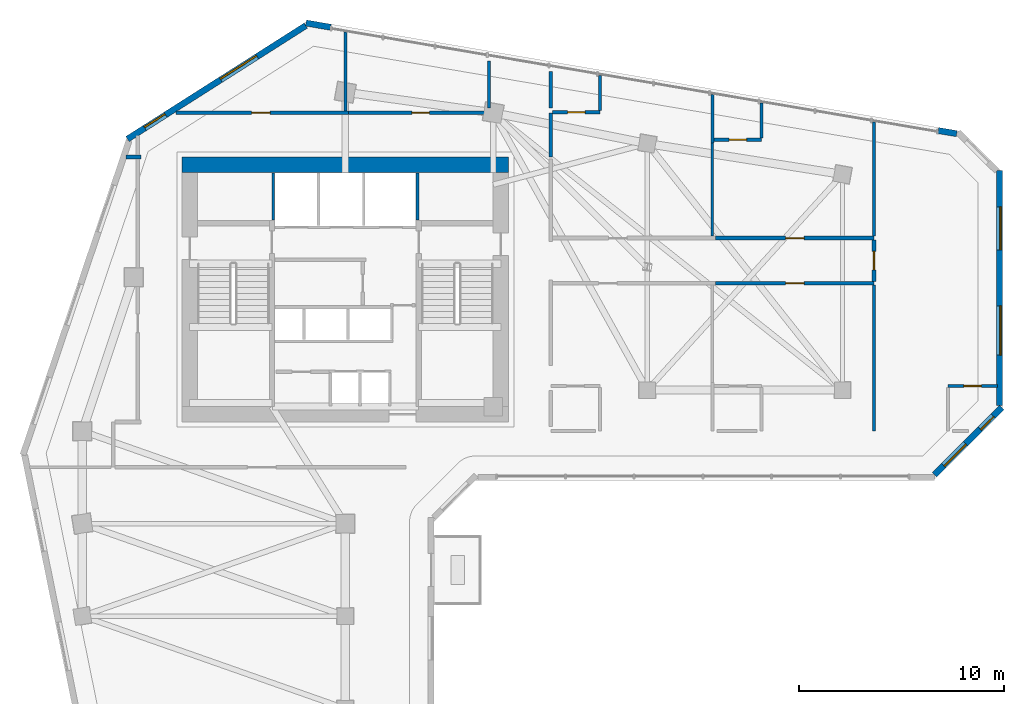
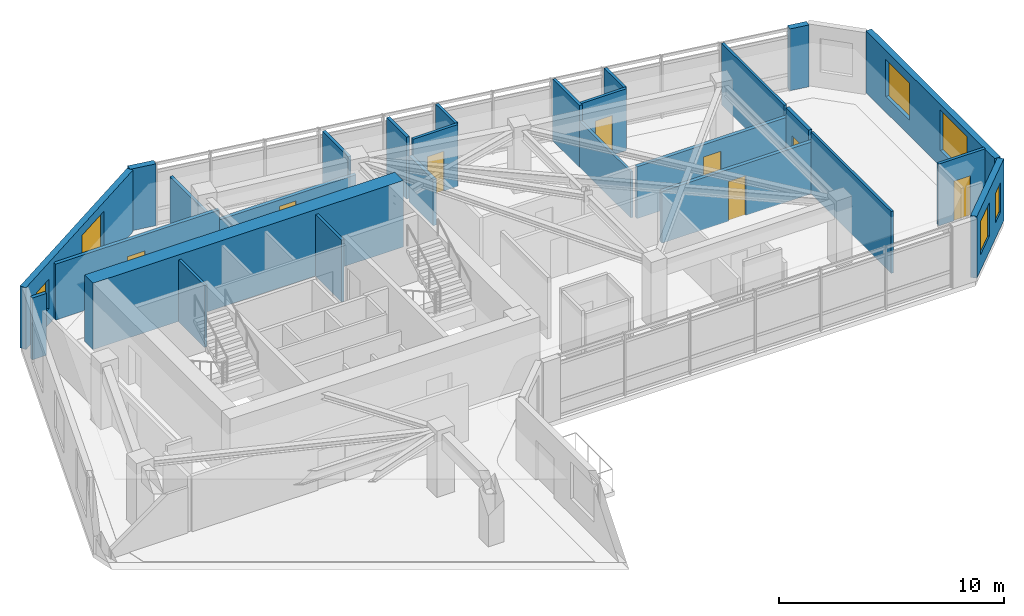
# One storey, part 6 of 10: 27 walls, 8 doors, 6 windows, 14 openings.
"""IFC4 building model written with IfcOpenShell, lengths in metres."""

from ifc_helpers import new_model, si_unit, direction, frame, frame_2d, origin, place, context, subcontext, project, spatial, rectangle, extrude, source, transform, mapped, material, layer, layer_set, type_object, element, fill, save


model = new_model("IFC4")

# Units and contexts
model_context = context("Model", 3, precision=1e-05, world=origin(), true_north=direction((0.0, 1.0)))
body_context = subcontext(model_context, "Body", "Model", "MODEL_VIEW")
ifc_project = project(units=[si_unit("LENGTHUNIT", "METRE"), si_unit("AREAUNIT", "SQUARE_METRE"), si_unit("VOLUMEUNIT", "CUBIC_METRE"), si_unit("PLANEANGLEUNIT", "RADIAN"), si_unit("MASSUNIT", "GRAM", prefix="KILO")], contexts=[model_context])

# Site, building, storey
site_placement = place(None, origin())
site = spatial("IfcSite", under=ifc_project, at=site_placement, CompositionType="ELEMENT")
building_placement = place(site_placement, origin())
building = spatial("IfcBuilding", under=site, at=building_placement, Name="Calvemar Wedge Station Tower", CompositionType="ELEMENT")
storey_placement = place(building_placement, frame((0.0, 0.0, 153.800048828125)))
storey = spatial("IfcBuildingStorey", under=building, at=storey_placement, Name="L38", CompositionType="ELEMENT", Elevation=153.800048828125)

# Walls
ifc_material_1 = material(Name="Concrete C70", Category="concrete")
ifc_layer_1 = layer(ifc_material_1, 0.75)
ifc_layer_set_1 = layer_set([ifc_layer_1], Name="Concrete C70")
wall_type_1 = type_object("IfcWallType", Name="SW-CORE-750", PredefinedType="SHEAR", material=ifc_layer_set_1)
wall_1_placement = place(storey_placement, frame((15.85009765625, 45.97509765625, 0.0), z_axis=(0.0, 0.0, 1.0), x_axis=(1.0, 0.0, 0.0)))
element("IfcWall", 1, at=wall_1_placement, inside=storey, type_object=wall_type_1, Name="Storey L38 Core Shear Wall N", PredefinedType="SHEAR", context=body_context, shape_type="SweptSolid", body=[
    extrude(rectangle(XDim=15.89990234375, YDim=0.75, at=frame_2d((7.949951171875, 0.0))), origin(), (0.0, 0.0, 1.0), 3.599853515625),
])
ifc_material_2 = material(Name="Double-stud fire-rated corridor partition")
ifc_layer_2 = layer(ifc_material_2, 0.179931640625)
ifc_layer_set_2 = layer_set([ifc_layer_2], Name="Double-stud fire-rated corridor partition")
wall_type_2 = type_object("IfcWallType", Name="W-CORR-180", PredefinedType="PARTITIONING", material=ifc_layer_set_2)
wall_2_placement = place(storey_placement, frame((13.860107421875, 46.35009765625, 0.0), z_axis=(0.0, 0.0, 1.0), x_axis=(-1.0, 0.0, 0.0)))
element("IfcWall", 2, at=wall_2_placement, inside=storey, type_object=wall_type_2, Name="Storey L38 Interior Partition WL-L38-009", PredefinedType="PARTITIONING", context=body_context, shape_type="SweptSolid", body=[
    extrude(rectangle(XDim=0.73486328125, YDim=0.179931640625, at=frame_2d((0.367431640625, 0.0))), origin(), (0.0, 0.0, 1.0), 3.349853515625),
])

# Wall, opening, door
wall_3_placement = place(storey_placement, frame((15.552490234375, 48.5, 0.0), z_axis=(0.0, 0.0, 1.0), x_axis=(1.0, 0.0, 0.0)))
wall_3 = element("IfcWall", 3, at=wall_3_placement, inside=storey, type_object=wall_type_2, Name="Storey L38 Interior Partition WL-L38-010", PredefinedType="PARTITIONING", context=body_context, shape_type="SweptSolid", body=[
    extrude(rectangle(XDim=8.407470703125, YDim=0.179931640625, at=frame_2d((4.20361328125, 0.0))), origin(), (0.0, 0.0, 1.0), 3.033935546875),
])
shared_shape_1 = source(origin(), body_context, "Body", "SweptSolid", [
    extrude(rectangle(XDim=0.89990234375, YDim=2.14990234375, at=frame_2d((0.449951171875, 1.074951171875))), frame((0.0, 0.10009765625, 0.0), z_axis=(0.0, -1.0, 0.0), x_axis=(1.0, 0.0, 0.0)), (0.0, 0.0, 1.0), 0.199951171875),
])
opening_1_placement = place(wall_3_placement, frame((3.69287109375, 0.0, 0.0)))
opening_1 = element("IfcOpeningElement", 4, at=opening_1_placement, cuts=wall_3, Name="Opening D-01", PredefinedType="OPENING", context=body_context, shape_type="MappedRepresentation", body=[
    mapped(shared_shape_1, transform((0.0, 0.0, 0.0), scale=1.0)),
])
ifc_material_3 = material(Name="Architectural hardwood acoustic swing door", Category="wood")
door_type_1 = type_object("IfcDoorType", Name="DR-INT-900", OperationType="NOTDEFINED", PredefinedType="DOOR", material=ifc_material_3)
shared_shape_2 = source(origin(), body_context, "Body", "SweptSolid", [
    extrude(rectangle(XDim=0.89990234375, YDim=2.14990234375, at=frame_2d((0.449951171875, 1.074951171875))), frame((0.0, 0.02490234375, 0.0), z_axis=(0.0, -1.0, 0.0), x_axis=(1.0, 0.0, 0.0)), (0.0, 0.0, 1.0), 0.050048828125),
])
door_1_placement = place(opening_1_placement, origin())
door_1 = element("IfcDoor", 5, at=door_1_placement, inside=storey, type_object=door_type_1, Name="L38 Guest Pantry Door", OperationType="SINGLE_SWING_LEFT", OverallHeight=2.14990234375, OverallWidth=0.89990234375, PredefinedType="DOOR", context=body_context, shape_type="MappedRepresentation", body=[
    mapped(shared_shape_2, transform((0.0, 0.0, 0.0), scale=1.0)),
])
fill(opening_1, door_1)

wall_4_placement = place(storey_placement, frame((23.9619140625, 48.5, 0.0), z_axis=(0.0, 0.0, 1.0), x_axis=(1.0, 0.0, 0.0)))
wall_4 = element("IfcWall", 6, at=wall_4_placement, inside=storey, type_object=wall_type_2, Name="Storey L38 Interior Partition WL-L38-011", PredefinedType="PARTITIONING", context=body_context, shape_type="SweptSolid", body=[
    extrude(rectangle(XDim=6.998046875, YDim=0.179931640625, at=frame_2d((3.4990234375, 0.0))), origin(), (0.0, 0.0, 1.0), 2.491943359375),
])
shared_shape_3 = source(origin(), body_context, "Body", "SweptSolid", [
    extrude(rectangle(XDim=0.85009765625, YDim=2.14990234375, at=frame_2d((0.425048828125, 1.074951171875))), frame((0.0, 0.10009765625, 0.0), z_axis=(0.0, -1.0, 0.0), x_axis=(1.0, 0.0, 0.0)), (0.0, 0.0, 1.0), 0.199951171875),
])
opening_2_placement = place(wall_4_placement, frame((3.073974609375, 0.0, 0.0)))
opening_2 = element("IfcOpeningElement", 7, at=opening_2_placement, cuts=wall_4, Name="Opening D-02", PredefinedType="OPENING", context=body_context, shape_type="MappedRepresentation", body=[
    mapped(shared_shape_3, transform((0.0, 0.0, 0.0), scale=1.0)),
])
ifc_material_4 = material(Name="Moisture-sealed bathroom hardwood swing door", Category="wood")
door_type_2 = type_object("IfcDoorType", Name="DR-WET-850", OperationType="NOTDEFINED", PredefinedType="DOOR", material=ifc_material_4)
shared_shape_4 = source(origin(), body_context, "Body", "SweptSolid", [
    extrude(rectangle(XDim=0.85009765625, YDim=2.14990234375, at=frame_2d((0.425048828125, 1.074951171875))), frame((0.0, 0.02490234375, 0.0), z_axis=(0.0, -1.0, 0.0), x_axis=(1.0, 0.0, 0.0)), (0.0, 0.0, 1.0), 0.050048828125),
])
door_2_placement = place(opening_2_placement, origin())
door_2 = element("IfcDoor", 8, at=door_2_placement, inside=storey, type_object=door_type_2, Name="L38 Accessible WC Door", OperationType="SINGLE_SWING_RIGHT", OverallHeight=2.14990234375, OverallWidth=0.85009765625, PredefinedType="DOOR", context=body_context, shape_type="MappedRepresentation", body=[
    mapped(shared_shape_4, transform((0.0, 0.0, 0.0), scale=1.0)),
])
fill(opening_2, door_2)

# Wall
wall_5_placement = place(storey_placement, frame((33.800048828125, 48.5, 0.0), z_axis=(0.0, 0.0, 1.0), x_axis=(0.0, -1.0, 0.0)))
element("IfcWall", 9, at=wall_5_placement, inside=storey, type_object=wall_type_2, Name="Storey L38 Interior Partition WL-L38-012", PredefinedType="PARTITIONING", context=body_context, shape_type="SweptSolid", body=[
    extrude(rectangle(XDim=2.14990234375, YDim=0.179931640625, at=frame_2d((1.074951171875, 0.0))), origin(), (0.0, 0.0, 1.0), 2.491943359375),
])

# Wall, opening, door
wall_6_placement = place(storey_placement, frame((41.8291015625, 42.39990234375, 0.0), z_axis=(0.0, 0.0, 1.0), x_axis=(1.0, 0.0, 0.0)))
wall_6 = element("IfcWall", 10, at=wall_6_placement, inside=storey, type_object=wall_type_2, Name="Storey L38 Interior Partition WL-L38-019", PredefinedType="PARTITIONING", context=body_context, shape_type="SweptSolid", body=[
    extrude(rectangle(XDim=7.705810546875, YDim=0.179931640625, at=frame_2d((3.85302734375, 0.0))), origin(), (0.0, 0.0, 1.0), 2.802978515625),
])
opening_3_placement = place(wall_6_placement, frame((3.403076171875, 0.0, 0.0)))
opening_3 = element("IfcOpeningElement", 11, at=opening_3_placement, cuts=wall_6, Name="Opening FD-60", PredefinedType="OPENING", context=body_context, shape_type="MappedRepresentation", body=[
    mapped(shared_shape_1, transform((0.0, 0.0, 0.0), scale=1.0)),
])
ifc_material_5 = material(Name="Fire-rated acoustic timber-core entrance door EI 60", Category="wood")
door_type_3 = type_object("IfcDoorType", Name="DR-FD60-900", OperationType="NOTDEFINED", PredefinedType="DOOR", material=ifc_material_5)
shared_shape_5 = source(origin(), body_context, "Body", "SweptSolid", [
    extrude(rectangle(XDim=0.89990234375, YDim=2.14990234375, at=frame_2d((0.449951171875, 1.074951171875))), frame((0.0, 0.02490234375, 0.0), z_axis=(0.0, -1.0, 0.0), x_axis=(1.0, 0.0, 0.0)), (0.0, 0.0, 1.0), 0.050048828125),
])
door_3_placement = place(opening_3_placement, origin())
door_3 = element("IfcDoor", 12, at=door_3_placement, inside=storey, type_object=door_type_3, Name="L38 Hotel Guest Room Door", OperationType="SINGLE_SWING_RIGHT", OverallHeight=2.14990234375, OverallWidth=0.89990234375, PredefinedType="DOOR", context=body_context, shape_type="MappedRepresentation", body=[
    mapped(shared_shape_5, transform((0.0, 0.0, 0.0), scale=1.0)),
])
fill(opening_3, door_3)

wall_7_placement = place(storey_placement, frame((49.534912109375, 40.199951171875, 0.0), z_axis=(0.0, 0.0, 1.0), x_axis=(-1.0, 0.0, 0.0)))
wall_7 = element("IfcWall", 13, at=wall_7_placement, inside=storey, type_object=wall_type_2, Name="Storey L38 Interior Partition WL-L38-020", PredefinedType="PARTITIONING", context=body_context, shape_type="SweptSolid", body=[
    extrude(rectangle(XDim=7.705810546875, YDim=0.179931640625, at=frame_2d((3.85302734375, 0.0))), origin(), (0.0, 0.0, 1.0), 2.802978515625),
])
opening_4_placement = place(wall_7_placement, frame((3.403076171875, 0.0, 0.0)))
opening_4 = element("IfcOpeningElement", 14, at=opening_4_placement, cuts=wall_7, Name="Opening FD-60", PredefinedType="OPENING", context=body_context, shape_type="MappedRepresentation", body=[
    mapped(shared_shape_1, transform((0.0, 0.0, 0.0), scale=1.0)),
])
door_4_placement = place(opening_4_placement, origin())
door_4 = element("IfcDoor", 15, at=door_4_placement, inside=storey, type_object=door_type_3, Name="L38 Hotel Guest Room Door", OperationType="SINGLE_SWING_RIGHT", OverallHeight=2.14990234375, OverallWidth=0.89990234375, PredefinedType="DOOR", context=body_context, shape_type="MappedRepresentation", body=[
    mapped(shared_shape_5, transform((0.0, 0.0, 0.0), scale=1.0)),
])
fill(opening_4, door_4)

wall_8_placement = place(storey_placement, frame((49.534912109375, 42.305908203125, 0.0), z_axis=(0.0, 0.0, 1.0), x_axis=(0.0, -1.0, 0.0)))
wall_8 = element("IfcWall", 16, at=wall_8_placement, inside=storey, type_object=wall_type_2, Name="Storey L38 Interior Partition WL-L38-021", PredefinedType="PARTITIONING", context=body_context, shape_type="SweptSolid", body=[
    extrude(rectangle(XDim=2.011962890625, YDim=0.179931640625, at=frame_2d((1.005859375, 0.0))), origin(), (0.0, 0.0, 1.0), 3.349853515625),
])
opening_5_placement = place(wall_8_placement, frame((0.555908203125, 0.0, 0.0)))
opening_5 = element("IfcOpeningElement", 17, at=opening_5_placement, cuts=wall_8, Name="Opening FD-60", PredefinedType="OPENING", context=body_context, shape_type="MappedRepresentation", body=[
    mapped(shared_shape_1, transform((0.0, 0.0, 0.0), scale=1.0)),
])
door_5_placement = place(opening_5_placement, origin())
door_5 = element("IfcDoor", 18, at=door_5_placement, inside=storey, type_object=door_type_3, Name="L38 Hotel Suite Door", OperationType="SINGLE_SWING_RIGHT", OverallHeight=2.14990234375, OverallWidth=0.89990234375, PredefinedType="DOOR", context=body_context, shape_type="MappedRepresentation", body=[
    mapped(shared_shape_5, transform((0.0, 0.0, 0.0), scale=1.0)),
])
fill(opening_5, door_5)

# Wall, openings, windows
ifc_material_6 = material(Name="Precast concrete C45", Category="concrete")
ifc_layer_3 = layer(ifc_material_6, 0.300048828125)
ifc_layer_set_3 = layer_set([ifc_layer_3], Name="Precast concrete C45")
wall_type_3 = type_object("IfcWallType", Name="W-EXT-GFRC-300", PredefinedType="SOLIDWALL", material=ifc_layer_set_3)
wall_9_placement = place(storey_placement, frame((52.475830078125, 30.8798828125, 0.0), z_axis=(0.0, 0.0, 1.0), x_axis=(0.707106781187, 0.707106781187, 0.0)))
wall_9 = element("IfcWall", 19, at=wall_9_placement, inside=storey, type_object=wall_type_3, Name="Storey L38 Bronze GFRC Exterior Wall 7", PredefinedType="SOLIDWALL", context=body_context, shape_type="SweptSolid", body=[
    extrude(rectangle(XDim=4.638916015625, YDim=0.300048828125, at=frame_2d((2.3193359375, 0.0))), origin(), (0.0, 0.0, 1.0), 3.349853515625),
])
shared_shape_6 = source(origin(), body_context, "Body", "SweptSolid", [
    extrude(rectangle(XDim=1.5, YDim=1.800048828125, at=frame_2d((0.75, 0.89990234375))), frame((0.0, 0.16015625, 0.0), z_axis=(0.0, -1.0, 0.0), x_axis=(1.0, 0.0, 0.0)), (0.0, 0.0, 1.0), 0.320068359375),
])
opening_6_placement = place(wall_9_placement, frame((0.632080078125, 0.0, 0.85009765625)))
opening_6 = element("IfcOpeningElement", 20, at=opening_6_placement, cuts=wall_9, Name="Opening W3", PredefinedType="OPENING", context=body_context, shape_type="MappedRepresentation", body=[
    mapped(shared_shape_6, transform((0.0, 0.0, 0.0), scale=1.0)),
])
shared_shape_7 = source(origin(), body_context, "Body", "SweptSolid", [
    extrude(rectangle(XDim=0.89990234375, YDim=1.60009765625, at=frame_2d((0.449951171875, 0.800048828125))), frame((0.0, 0.16015625, 0.0), z_axis=(0.0, -1.0, 0.0), x_axis=(1.0, 0.0, 0.0)), (0.0, 0.0, 1.0), 0.320068359375),
])
opening_7_placement = place(wall_9_placement, frame((3.15087890625, 0.0, 0.85009765625)))
opening_7 = element("IfcOpeningElement", 21, at=opening_7_placement, cuts=wall_9, Name="Opening W7", PredefinedType="OPENING", context=body_context, shape_type="MappedRepresentation", body=[
    mapped(shared_shape_7, transform((0.0, 0.0, 0.0), scale=1.0)),
])
ifc_material_7 = material(Name="Low-E laminated insulated glass", Category="glass")
window_type_1 = type_object("IfcWindowType", Name="WIN-EXT-3", PartitioningType="SINGLE_PANEL", PredefinedType="WINDOW", material=ifc_material_7)
shared_shape_8 = source(origin(), body_context, "Body", "SweptSolid", [
    extrude(rectangle(XDim=1.5, YDim=1.800048828125, at=frame_2d((0.75, 0.89990234375))), frame((0.0, -0.014892578125, 0.0), z_axis=(0.0, -1.0, 0.0), x_axis=(1.0, 0.0, 0.0)), (0.0, 0.0, 1.0), 0.06005859375),
])
window_1_placement = place(opening_6_placement, origin())
window_1 = element("IfcWindow", 22, at=window_1_placement, inside=storey, type_object=window_type_1, Name="Storey L38 Recessed Window 7.1", OverallHeight=1.800048828125, OverallWidth=1.5, PartitioningType="SINGLE_PANEL", PredefinedType="WINDOW", context=body_context, shape_type="MappedRepresentation", body=[
    mapped(shared_shape_8, transform((0.0, 0.0, 0.0), scale=1.0)),
])
fill(opening_6, window_1)
window_type_2 = type_object("IfcWindowType", Name="WIN-EXT-7", PartitioningType="SINGLE_PANEL", PredefinedType="WINDOW", material=ifc_material_7)
shared_shape_9 = source(origin(), body_context, "Body", "SweptSolid", [
    extrude(rectangle(XDim=0.89990234375, YDim=1.60009765625, at=frame_2d((0.449951171875, 0.800048828125))), frame((0.0, -0.014892578125, 0.0), z_axis=(0.0, -1.0, 0.0), x_axis=(1.0, 0.0, 0.0)), (0.0, 0.0, 1.0), 0.06005859375),
])
window_2_placement = place(opening_7_placement, origin())
window_2 = element("IfcWindow", 23, at=window_2_placement, inside=storey, type_object=window_type_2, Name="Storey L38 Recessed Window 7.2", OverallHeight=1.60009765625, OverallWidth=0.89990234375, PartitioningType="SINGLE_PANEL", PredefinedType="WINDOW", context=body_context, shape_type="MappedRepresentation", body=[
    mapped(shared_shape_9, transform((0.0, 0.0, 0.0), scale=1.0)),
])
fill(opening_7, window_2)

wall_10_placement = place(storey_placement, frame((55.64990234375, 34.249267578125, 0.0), z_axis=(0.0, 0.0, 1.0), x_axis=(0.0, 1.0, 0.0)))
wall_10 = element("IfcWall", 24, at=wall_10_placement, inside=storey, type_object=wall_type_3, Name="Storey L38 Bronze GFRC Exterior Wall 8", PredefinedType="SOLIDWALL", context=body_context, shape_type="SweptSolid", body=[
    extrude(rectangle(XDim=11.4306640625, YDim=0.300048828125, at=frame_2d((5.71533203125, 0.0))), origin(), (0.0, 0.0, 1.0), 3.349853515625),
])
shared_shape_10 = source(origin(), body_context, "Body", "SweptSolid", [
    extrude(rectangle(XDim=2.39990234375, YDim=2.199951171875, at=frame_2d((1.199951171875, 1.10009765625))), frame((0.0, 0.16015625, 0.0), z_axis=(0.0, -1.0, 0.0), x_axis=(1.0, 0.0, 0.0)), (0.0, 0.0, 1.0), 0.320068359375),
])
opening_8_placement = place(wall_10_placement, frame((2.4560546875, 0.0, 0.85009765625)))
opening_8 = element("IfcOpeningElement", 25, at=opening_8_placement, cuts=wall_10, Name="Opening W1", PredefinedType="OPENING", context=body_context, shape_type="MappedRepresentation", body=[
    mapped(shared_shape_10, transform((0.0, 0.0, 0.0), scale=1.0)),
])
shared_shape_11 = source(origin(), body_context, "Body", "SweptSolid", [
    extrude(rectangle(XDim=2.10009765625, YDim=2.0, at=frame_2d((1.050048828125, 1.0))), frame((0.0, 0.16015625, 0.0), z_axis=(0.0, -1.0, 0.0), x_axis=(1.0, 0.0, 0.0)), (0.0, 0.0, 1.0), 0.320068359375),
])
opening_9_placement = place(wall_10_placement, frame((7.575927734375, 0.0, 0.85009765625)))
opening_9 = element("IfcOpeningElement", 26, at=opening_9_placement, cuts=wall_10, Name="Opening W4", PredefinedType="OPENING", context=body_context, shape_type="MappedRepresentation", body=[
    mapped(shared_shape_11, transform((0.0, 0.0, 0.0), scale=1.0)),
])
window_type_3 = type_object("IfcWindowType", Name="WIN-EXT-4", PartitioningType="SINGLE_PANEL", PredefinedType="WINDOW", material=ifc_material_7)
shared_shape_12 = source(origin(), body_context, "Body", "SweptSolid", [
    extrude(rectangle(XDim=2.10009765625, YDim=2.0, at=frame_2d((1.050048828125, 1.0))), frame((0.0, -0.014892578125, 0.0), z_axis=(0.0, -1.0, 0.0), x_axis=(1.0, 0.0, 0.0)), (0.0, 0.0, 1.0), 0.06005859375),
])
window_3_placement = place(opening_9_placement, origin())
window_3 = element("IfcWindow", 27, at=window_3_placement, inside=storey, type_object=window_type_3, Name="Storey L38 Recessed Window 8.2", OverallHeight=2.0, OverallWidth=2.10009765625, PartitioningType="SINGLE_PANEL", PredefinedType="WINDOW", context=body_context, shape_type="MappedRepresentation", body=[
    mapped(shared_shape_12, transform((0.0, 0.0, 0.0), scale=1.0)),
])
fill(opening_9, window_3)
window_type_4 = type_object("IfcWindowType", Name="WIN-EXT-1", PartitioningType="SINGLE_PANEL", PredefinedType="WINDOW", material=ifc_material_7)
shared_shape_13 = source(origin(), body_context, "Body", "SweptSolid", [
    extrude(rectangle(XDim=2.39990234375, YDim=2.199951171875, at=frame_2d((1.199951171875, 1.10009765625))), frame((0.0, -0.014892578125, 0.0), z_axis=(0.0, -1.0, 0.0), x_axis=(1.0, 0.0, 0.0)), (0.0, 0.0, 1.0), 0.06005859375),
])
window_4_placement = place(opening_8_placement, origin())
window_4 = element("IfcWindow", 28, at=window_4_placement, inside=storey, type_object=window_type_4, Name="Storey L38 Recessed Window 8.1", OverallHeight=2.199951171875, OverallWidth=2.39990234375, PartitioningType="SINGLE_PANEL", PredefinedType="WINDOW", context=body_context, shape_type="MappedRepresentation", body=[
    mapped(shared_shape_13, transform((0.0, 0.0, 0.0), scale=1.0)),
])
fill(opening_8, window_4)

# Walls
wall_11_placement = place(storey_placement, frame((53.56103515625, 47.48046875, 0.0), z_axis=(0.0, 0.0, 1.0), x_axis=(-0.985836300899, 0.167710428506, 0.0)))
element("IfcWall", 29, at=wall_11_placement, inside=storey, type_object=wall_type_3, Name="Storey L38 Bronze GFRC Corner Pier 10A", PredefinedType="SOLIDWALL", context=body_context, shape_type="SweptSolid", body=[
    extrude(rectangle(XDim=0.908447265625, YDim=0.300048828125, at=frame_2d((0.4541015625, 0.0))), origin(), (0.0, 0.0, 1.0), 3.349853515625),
])
wall_12_placement = place(storey_placement, frame((23.093994140625, 52.661865234375, 0.0), z_axis=(0.0, 0.0, 1.0), x_axis=(-0.985845658291, 0.167655414553, 0.0)))
element("IfcWall", 30, at=wall_12_placement, inside=storey, type_object=wall_type_3, Name="Storey L38 Bronze GFRC Corner Pier 10B", PredefinedType="SOLIDWALL", context=body_context, shape_type="SweptSolid", body=[
    extrude(rectangle(XDim=1.2275390625, YDim=0.300048828125, at=frame_2d((0.61376953125, 0.0))), origin(), (0.0, 0.0, 1.0), 3.349853515625),
])

# Wall, openings, windows
wall_13_placement = place(storey_placement, frame((21.874755859375, 52.742431640625, 0.0), z_axis=(0.0, 0.0, 1.0), x_axis=(-0.843662465249, -0.536873956092, 0.0)))
wall_13 = element("IfcWall", 31, at=wall_13_placement, inside=storey, type_object=wall_type_3, Name="Storey L38 Bronze GFRC Exterior Wall 11", PredefinedType="SOLIDWALL", context=body_context, shape_type="SweptSolid", body=[
    extrude(rectangle(XDim=10.283935546875, YDim=0.300048828125, at=frame_2d((5.14208984375, 0.0))), origin(), (0.0, 0.0, 1.0), 3.349853515625),
])
opening_10_placement = place(wall_13_placement, frame((2.805908203125, 0.0, 0.85009765625)))
opening_10 = element("IfcOpeningElement", 32, at=opening_10_placement, cuts=wall_13, Name="Opening W4", PredefinedType="OPENING", context=body_context, shape_type="MappedRepresentation", body=[
    mapped(shared_shape_11, transform((0.0, 0.0, 0.0), scale=1.0)),
])
shared_shape_14 = source(origin(), body_context, "Body", "SweptSolid", [
    extrude(rectangle(XDim=1.199951171875, YDim=1.60009765625, at=frame_2d((0.60009765625, 0.800048828125))), frame((0.0, 0.16015625, 0.0), z_axis=(0.0, -1.0, 0.0), x_axis=(1.0, 0.0, 0.0)), (0.0, 0.0, 1.0), 0.320068359375),
])
opening_11_placement = place(wall_13_placement, frame((8.0869140625, 0.0, 0.85009765625)))
opening_11 = element("IfcOpeningElement", 33, at=opening_11_placement, cuts=wall_13, Name="Opening W5", PredefinedType="OPENING", context=body_context, shape_type="MappedRepresentation", body=[
    mapped(shared_shape_14, transform((0.0, 0.0, 0.0), scale=1.0)),
])
window_5_placement = place(opening_10_placement, origin())
window_5 = element("IfcWindow", 34, at=window_5_placement, inside=storey, type_object=window_type_3, Name="Storey L38 Recessed Window 11.1", OverallHeight=2.0, OverallWidth=2.10009765625, PartitioningType="SINGLE_PANEL", PredefinedType="WINDOW", context=body_context, shape_type="MappedRepresentation", body=[
    mapped(shared_shape_12, transform((0.0, 0.0, 0.0), scale=1.0)),
])
fill(opening_10, window_5)
window_type_5 = type_object("IfcWindowType", Name="WIN-EXT-5", PartitioningType="SINGLE_PANEL", PredefinedType="WINDOW", material=ifc_material_7)
shared_shape_15 = source(origin(), body_context, "Body", "SweptSolid", [
    extrude(rectangle(XDim=1.199951171875, YDim=1.60009765625, at=frame_2d((0.60009765625, 0.800048828125))), frame((0.0, -0.014892578125, 0.0), z_axis=(0.0, -1.0, 0.0), x_axis=(1.0, 0.0, 0.0)), (0.0, 0.0, 1.0), 0.06005859375),
])
window_6_placement = place(opening_11_placement, origin())
window_6 = element("IfcWindow", 35, at=window_6_placement, inside=storey, type_object=window_type_5, Name="Storey L38 Recessed Window 11.2", OverallHeight=1.60009765625, OverallWidth=1.199951171875, PartitioningType="SINGLE_PANEL", PredefinedType="WINDOW", context=body_context, shape_type="MappedRepresentation", body=[
    mapped(shared_shape_15, transform((0.0, 0.0, 0.0), scale=1.0)),
])
fill(opening_11, window_6)

# Walls
ifc_material_8 = material(Name="Reinforced concrete blockwork lift shaft wall", Category="masonry")
ifc_layer_4 = layer(ifc_material_8, 0.139892578125)
ifc_layer_set_4 = layer_set([ifc_layer_4], Name="Reinforced concrete blockwork lift shaft wall")
wall_type_4 = type_object("IfcWallType", Name="W-LIFT-160", PredefinedType="SOLIDWALL", material=ifc_layer_set_4)
for number, where, z_axis, x_axis, name in (
    (36, (20.2900390625, 43.280029296875, 0.0), (0.0, 0.0, 1.0), (0.0, 1.0, 0.0), "Storey L38 Firefighting Lift Shaft Enclosure Wall W"),
    (37, (27.31005859375, 43.280029296875, 0.0), (0.0, 0.0, 1.0), (0.0, 1.0, 0.0), "Storey L38 Firefighting Lift Shaft Enclosure Wall E"),
):
    element("IfcWall", number, at=place(storey_placement, frame(where, z_axis=z_axis, x_axis=x_axis)), inside=storey, type_object=wall_type_4, Name=name, PredefinedType="SOLIDWALL", context=body_context, shape_type="SweptSolid", body=[
        extrude(rectangle(XDim=2.300048828125, YDim=0.139892578125, at=frame_2d((1.14990234375, 0.0))), origin(), (0.0, 0.0, 1.0), 3.349853515625),
    ])
ifc_material_9 = material(Name="Insulated acoustic gypsum stud partition")
ifc_layer_5 = layer(ifc_material_9, 0.125)
ifc_layer_set_5 = layer_set([ifc_layer_5], Name="Insulated acoustic gypsum stud partition")
wall_type_5 = type_object("IfcWallType", Name="W-PART-125", PredefinedType="PARTITIONING", material=ifc_layer_set_5)
wall_14_placement = place(storey_placement, frame((41.6669921875, 47.024658203125, 0.0), z_axis=(0.0, 0.0, 1.0), x_axis=(0.0, -1.0, 0.0)))
element("IfcWall", 38, at=wall_14_placement, inside=storey, type_object=wall_type_5, Name="Storey L38 Interior Partition WL-L38-025", PredefinedType="PARTITIONING", context=body_context, shape_type="SweptSolid", body=[
    extrude(rectangle(XDim=4.53076171875, YDim=0.125, at=frame_2d((2.265380859375, 0.0))), origin(), (0.0, 0.0, 1.0), 2.491943359375),
])
wall_15_placement = place(storey_placement, frame((49.534912109375, 48.048583984375, 0.0), z_axis=(0.0, 0.0, 1.0), x_axis=(0.0, -1.0, 0.0)))
element("IfcWall", 39, at=wall_15_placement, inside=storey, type_object=wall_type_5, Name="Storey L38 Interior Partition WL-L38-032", PredefinedType="PARTITIONING", context=body_context, shape_type="SweptSolid", body=[
    extrude(rectangle(XDim=5.5546875, YDim=0.125, at=frame_2d((2.77734375, 0.0))), origin(), (0.0, 0.0, 1.0), 3.349853515625),
])
wall_16_placement = place(storey_placement, frame((49.534912109375, 40.10595703125, 0.0), z_axis=(0.0, 0.0, 1.0), x_axis=(0.0, -1.0, 0.0)))
element("IfcWall", 40, at=wall_16_placement, inside=storey, type_object=wall_type_5, Name="Storey L38 Interior Partition WL-L38-035", PredefinedType="PARTITIONING", context=body_context, shape_type="SweptSolid", body=[
    extrude(rectangle(XDim=7.10595703125, YDim=0.125, at=frame_2d((3.552978515625, 0.0))), origin(), (0.0, 0.0, 1.0), 3.349853515625),
])
ifc_material_10 = material(Name="Moisture-resistant acoustic bathroom partition")
ifc_layer_6 = layer(ifc_material_10, 0.14990234375)
ifc_layer_set_6 = layer_set([ifc_layer_6], Name="Moisture-resistant acoustic bathroom partition")
wall_type_6 = type_object("IfcWallType", Name="W-WET-150", PredefinedType="PARTITIONING", material=ifc_layer_set_6)
wall_17_placement = place(storey_placement, frame((23.800048828125, 52.425048828125, 0.0), z_axis=(0.0, 0.0, 1.0), x_axis=(0.0, -1.0, 0.0)))
element("IfcWall", 41, at=wall_17_placement, inside=storey, type_object=wall_type_6, Name="Storey L38 Interior Partition WL-L38-016", PredefinedType="PARTITIONING", context=body_context, shape_type="SweptSolid", body=[
    extrude(rectangle(XDim=3.8310546875, YDim=0.14990234375, at=frame_2d((1.91552734375, 0.0))), origin(), (0.0, 0.0, 1.0), 2.491943359375),
])

# Wall, opening, door
wall_18_placement = place(storey_placement, frame((36.199951171875, 48.5244140625, 0.0), z_axis=(0.0, 0.0, 1.0), x_axis=(-1.0, 0.0, 0.0)))
wall_18 = element("IfcWall", 42, at=wall_18_placement, inside=storey, type_object=wall_type_6, Name="Storey L38 Interior Partition WL-L38-022", PredefinedType="PARTITIONING", context=body_context, shape_type="SweptSolid", body=[
    extrude(rectangle(XDim=2.305908203125, YDim=0.14990234375, at=frame_2d((1.15283203125, 0.0))), origin(), (0.0, 0.0, 1.0), 3.349853515625),
])
shared_shape_16 = source(origin(), body_context, "Body", "SweptSolid", [
    extrude(rectangle(XDim=0.85009765625, YDim=2.14990234375, at=frame_2d((0.425048828125, 1.074951171875))), frame((0.0, 0.0849609375, 0.0), z_axis=(0.0, -1.0, 0.0), x_axis=(1.0, 0.0, 0.0)), (0.0, 0.0, 1.0), 0.169921875),
])
opening_12_placement = place(wall_18_placement, frame((0.72802734375, 0.0, 0.0)))
opening_12 = element("IfcOpeningElement", 43, at=opening_12_placement, cuts=wall_18, Name="Opening D-02", PredefinedType="OPENING", context=body_context, shape_type="MappedRepresentation", body=[
    mapped(shared_shape_16, transform((0.0, 0.0, 0.0), scale=1.0)),
])
door_6_placement = place(opening_12_placement, origin())
door_6 = element("IfcDoor", 44, at=door_6_placement, inside=storey, type_object=door_type_2, Name="L38 En-Suite Bathroom Door", OperationType="SINGLE_SWING_LEFT", OverallHeight=2.14990234375, OverallWidth=0.85009765625, PredefinedType="DOOR", context=body_context, shape_type="MappedRepresentation", body=[
    mapped(shared_shape_4, transform((0.0, 0.0, 0.0), scale=1.0)),
])
fill(opening_12, door_6)

# Walls
wall_19_placement = place(storey_placement, frame((36.199951171875, 50.31640625, 0.0), z_axis=(0.0, 0.0, 1.0), x_axis=(0.0, -1.0, 0.0)))
element("IfcWall", 45, at=wall_19_placement, inside=storey, type_object=wall_type_6, Name="Storey L38 Interior Partition WL-L38-023", PredefinedType="PARTITIONING", context=body_context, shape_type="SweptSolid", body=[
    extrude(rectangle(XDim=1.712890625, YDim=0.14990234375, at=frame_2d((0.8564453125, 0.0))), origin(), (0.0, 0.0, 1.0), 3.349853515625),
])
wall_20_placement = place(storey_placement, frame((41.6669921875, 49.38671875, 0.0), z_axis=(0.0, 0.0, 1.0), x_axis=(0.0, -1.0, 0.0)))
element("IfcWall", 46, at=wall_20_placement, inside=storey, type_object=wall_type_6, Name="Storey L38 Interior Partition WL-L38-024", PredefinedType="PARTITIONING", context=body_context, shape_type="SweptSolid", body=[
    extrude(rectangle(XDim=2.360107421875, YDim=0.14990234375, at=frame_2d((1.18017578125, 0.0))), origin(), (0.0, 0.0, 1.0), 3.349853515625),
])

# Wall, opening, door
wall_21_placement = place(storey_placement, frame((44.06689453125, 47.1865234375, 0.0), z_axis=(0.0, 0.0, 1.0), x_axis=(-1.0, 0.0, 0.0)))
wall_21 = element("IfcWall", 47, at=wall_21_placement, inside=storey, type_object=wall_type_6, Name="Storey L38 Interior Partition WL-L38-030", PredefinedType="PARTITIONING", context=body_context, shape_type="SweptSolid", body=[
    extrude(rectangle(XDim=2.32080078125, YDim=0.14990234375, at=frame_2d((1.160400390625, 0.0))), origin(), (0.0, 0.0, 1.0), 3.349853515625),
])
opening_13_placement = place(wall_21_placement, frame((0.735595703125, 0.0, 0.0)))
opening_13 = element("IfcOpeningElement", 48, at=opening_13_placement, cuts=wall_21, Name="Opening D-02", PredefinedType="OPENING", context=body_context, shape_type="MappedRepresentation", body=[
    mapped(shared_shape_16, transform((0.0, 0.0, 0.0), scale=1.0)),
])
door_7_placement = place(opening_13_placement, origin())
door_7 = element("IfcDoor", 49, at=door_7_placement, inside=storey, type_object=door_type_2, Name="L38 En-Suite Bathroom Door", OperationType="SINGLE_SWING_LEFT", OverallHeight=2.14990234375, OverallWidth=0.85009765625, PredefinedType="DOOR", context=body_context, shape_type="MappedRepresentation", body=[
    mapped(shared_shape_4, transform((0.0, 0.0, 0.0), scale=1.0)),
])
fill(opening_13, door_7)

# Wall
wall_22_placement = place(storey_placement, frame((44.06689453125, 48.978515625, 0.0), z_axis=(0.0, 0.0, 1.0), x_axis=(0.0, -1.0, 0.0)))
element("IfcWall", 50, at=wall_22_placement, inside=storey, type_object=wall_type_6, Name="Storey L38 Interior Partition WL-L38-031", PredefinedType="PARTITIONING", context=body_context, shape_type="SweptSolid", body=[
    extrude(rectangle(XDim=1.712890625, YDim=0.14990234375, at=frame_2d((0.8564453125, 0.0))), origin(), (0.0, 0.0, 1.0), 3.349853515625),
])

# Wall, opening, door
wall_23_placement = place(storey_placement, frame((53.135009765625, 35.199951171875, 0.0), z_axis=(0.0, 0.0, 1.0), x_axis=(1.0, 0.0, 0.0)))
wall_23 = element("IfcWall", 51, at=wall_23_placement, inside=storey, type_object=wall_type_6, Name="Storey L38 Interior Partition WL-L38-036", PredefinedType="PARTITIONING", context=body_context, shape_type="SweptSolid", body=[
    extrude(rectangle(XDim=2.39990234375, YDim=0.14990234375, at=frame_2d((1.199951171875, 0.0))), origin(), (0.0, 0.0, 1.0), 3.349853515625),
])
opening_14_placement = place(wall_23_placement, frame((0.77490234375, 0.0, 0.0)))
opening_14 = element("IfcOpeningElement", 52, at=opening_14_placement, cuts=wall_23, Name="Opening D-02", PredefinedType="OPENING", context=body_context, shape_type="MappedRepresentation", body=[
    mapped(shared_shape_16, transform((0.0, 0.0, 0.0), scale=1.0)),
])
door_8_placement = place(opening_14_placement, origin())
door_8 = element("IfcDoor", 53, at=door_8_placement, inside=storey, type_object=door_type_2, Name="L38 En-Suite Bathroom Door", OperationType="SINGLE_SWING_LEFT", OverallHeight=2.14990234375, OverallWidth=0.85009765625, PredefinedType="DOOR", context=body_context, shape_type="MappedRepresentation", body=[
    mapped(shared_shape_4, transform((0.0, 0.0, 0.0), scale=1.0)),
])
fill(opening_14, door_8)

# Walls
wall_24_placement = place(storey_placement, frame((30.800048828125, 51.011474609375, 0.0), z_axis=(0.0, 0.0, 1.0), x_axis=(0.0, -1.0, 0.0)))
element("IfcWall", 54, at=wall_24_placement, inside=storey, type_object=wall_type_6, Name="Storey L38 Bathroom Enclosure Wall WL-L38-041", PredefinedType="PARTITIONING", context=body_context, shape_type="SweptSolid", body=[
    extrude(rectangle(XDim=2.29150390625, YDim=0.14990234375, at=frame_2d((1.145751953125, 0.0))), origin(), (0.0, 0.0, 1.0), 3.349853515625),
])
wall_25_placement = place(storey_placement, frame((33.800048828125, 48.72314453125, 0.0), z_axis=(0.0, 0.0, 1.0), x_axis=(0.0, 1.0, 0.0)))
element("IfcWall", 55, at=wall_25_placement, inside=storey, type_object=wall_type_6, Name="Storey L38 Bathroom Enclosure Wall WL-L38-042", PredefinedType="PARTITIONING", context=body_context, shape_type="SweptSolid", body=[
    extrude(rectangle(XDim=1.778076171875, YDim=0.14990234375, at=frame_2d((0.88916015625, 0.0))), origin(), (0.0, 0.0, 1.0), 3.349853515625),
])

save(model, "model.ifc")
